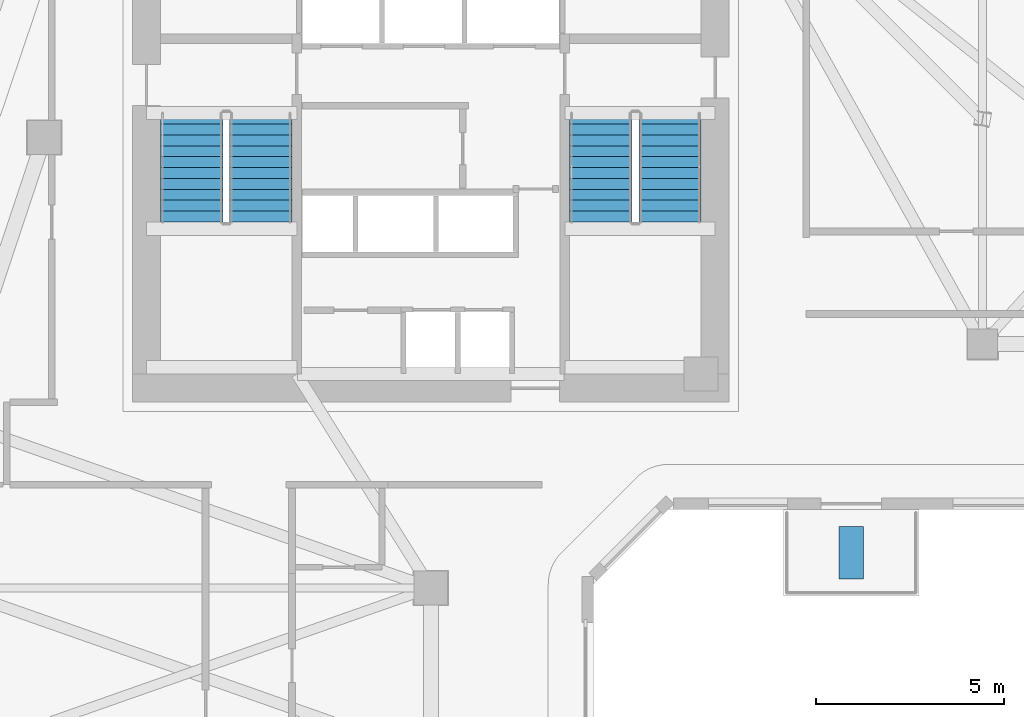
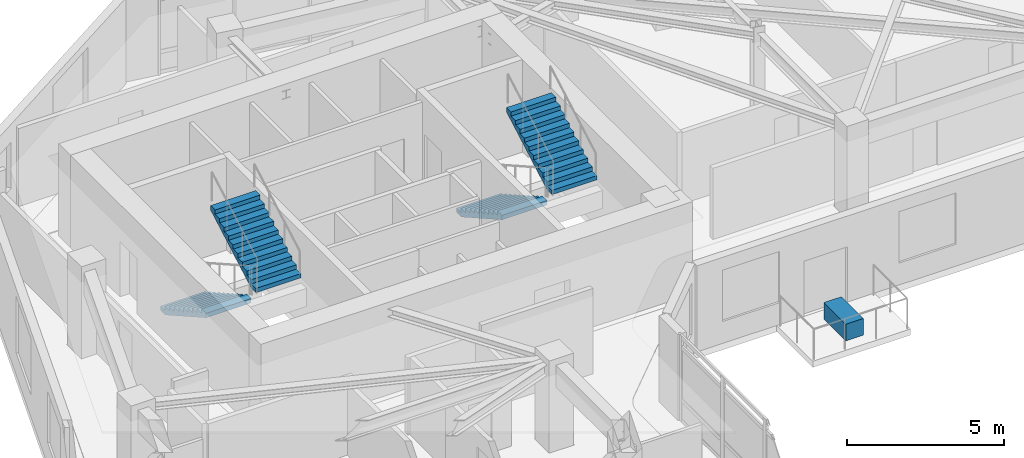
# One storey, part 8 of 11: 4 stair flights, 1 discrete accessory, 2 elements without a shape of their own.
"""IFC4 building model written with IfcOpenShell, lengths in metres."""

from ifc_helpers import new_model, si_unit, direction, frame, origin, origin_2d, place, context, subcontext, project, spatial, polyline, rectangle, outline, extrude, source, transform, mapped, material, type_object, element, aggregate, save


model = new_model("IFC4")

# Units and contexts
model_context = context("Model", 3, precision=1e-05, world=origin(), true_north=direction((0.0, 1.0)))
body_context = subcontext(model_context, "Body", "Model", "MODEL_VIEW")
ifc_project = project(units=[si_unit("LENGTHUNIT", "METRE"), si_unit("AREAUNIT", "SQUARE_METRE"), si_unit("VOLUMEUNIT", "CUBIC_METRE"), si_unit("PLANEANGLEUNIT", "RADIAN"), si_unit("MASSUNIT", "GRAM", prefix="KILO")], contexts=[model_context])

# Site, building, storey
site_placement = place(None, origin())
site = spatial("IfcSite", under=ifc_project, at=site_placement, CompositionType="ELEMENT")
building_placement = place(site_placement, origin())
building = spatial("IfcBuilding", under=site, at=building_placement, Name="Calvemar Wedge Station Tower", CompositionType="ELEMENT")
storey_placement = place(building_placement, frame((0.0, 0.0, 143.0)))
storey = spatial("IfcBuildingStorey", under=building, at=storey_placement, Name="L35", CompositionType="ELEMENT", Elevation=143.0)

# Stair, stair flights
ifc_material_1 = material(Name="Concrete C45", Category="concrete")
stair_type = type_object("IfcStairType", Name="ST-TYPE-3600", PredefinedType="HALF_TURN_STAIR", material=ifc_material_1)
stair_1_placement = place(storey_placement, origin())
stair_1 = element("IfcStair", 1, at=stair_1_placement, inside=storey, type_object=stair_type, Name="L35 Pressurized Core Exit Stair ST-C1", PredefinedType="HALF_TURN_STAIR")
stair_flight_type = type_object("IfcStairFlightType", Name="STF-TYPE-3600", PredefinedType="STRAIGHT", material=ifc_material_1)
stair_flight_1_placement = place(storey_placement, frame((17.429931640625, 41.14990234375, 0.0), z_axis=(0.0, 0.0, 1.0), x_axis=(0.0, -1.0, 0.0)))
stair_flight_1 = element("IfcStairFlight", 2, at=stair_flight_1_placement, type_object=stair_flight_type, Name="ST-C1 flight 1", NumberOfRisers=11, NumberOfTreads=10, PredefinedType="STRAIGHT", RiserHeight=0.163636364, TreadLength=0.29, context=body_context, shape_type="SweptSolid", body=[
    extrude(outline(polyline([(0.0, 0.0), (0.0, 0.16357421875), (0.2900390625, 0.16357421875), (0.2900390625, 0.327392578125), (0.580078125, 0.327392578125), (0.580078125, 0.490966796875), (0.8701171875, 0.490966796875), (0.8701171875, 0.654541015625), (1.159912109375, 0.654541015625), (1.159912109375, 0.818115234375), (1.449951171875, 0.818115234375), (1.449951171875, 0.98193359375), (1.739990234375, 0.98193359375), (1.739990234375, 1.1455078125), (2.030029296875, 1.1455078125), (2.030029296875, 1.30908203125), (2.320068359375, 1.30908203125), (2.320068359375, 1.47265625), (2.610107421875, 1.47265625), (2.610107421875, 1.636474609375), (2.89990234375, 1.636474609375), (2.89990234375, 1.800048828125), (2.89990234375, 1.46435546875), (0.304931640625, 0.0), (0.0, 0.0)])), frame((0.0, 0.830078125, 0.0), z_axis=(0.0, -1.0, 0.0), x_axis=(1.0, 0.0, 0.0)), (0.0, 0.0, 1.0), 1.659912109375),
])
stair_flight_2_placement = place(storey_placement, frame((19.27001953125, 38.25, 1.800048828125), z_axis=(0.0, 0.0, 1.0), x_axis=(0.0, 1.0, 0.0)))
stair_flight_2 = element("IfcStairFlight", 3, at=stair_flight_2_placement, type_object=stair_flight_type, Name="ST-C1 flight 2", NumberOfRisers=11, NumberOfTreads=10, PredefinedType="STRAIGHT", RiserHeight=0.163636364, TreadLength=0.29, context=body_context, shape_type="SweptSolid", body=[
    extrude(outline(polyline([(0.0, 0.0), (0.0, 0.16357421875), (0.2900390625, 0.16357421875), (0.2900390625, 0.327392578125), (0.580078125, 0.327392578125), (0.580078125, 0.490966796875), (0.8701171875, 0.490966796875), (0.8701171875, 0.654541015625), (1.159912109375, 0.654541015625), (1.159912109375, 0.818115234375), (1.449951171875, 0.818115234375), (1.449951171875, 0.98193359375), (1.739990234375, 0.98193359375), (1.739990234375, 1.1455078125), (2.030029296875, 1.1455078125), (2.030029296875, 1.30908203125), (2.320068359375, 1.30908203125), (2.320068359375, 1.47265625), (2.610107421875, 1.47265625), (2.610107421875, 1.636474609375), (2.89990234375, 1.636474609375), (2.89990234375, 1.800048828125), (2.89990234375, 1.46435546875), (0.304931640625, 0.0), (0.0, 0.0)])), frame((0.0, 0.830078125, 0.0), z_axis=(0.0, -1.0, 0.0), x_axis=(1.0, 0.0, 0.0)), (0.0, 0.0, 1.0), 1.659912109375),
])
aggregate(stair_1, [stair_flight_1, stair_flight_2])

stair_2_placement = place(storey_placement, origin())
stair_2 = element("IfcStair", 4, at=stair_2_placement, inside=storey, type_object=stair_type, Name="L35 Pressurized Core Exit Stair ST-C2", PredefinedType="HALF_TURN_STAIR")
stair_flight_3_placement = place(storey_placement, frame((28.330078125, 41.14990234375, 0.0), z_axis=(0.0, 0.0, 1.0), x_axis=(0.0, -1.0, 0.0)))
stair_flight_3 = element("IfcStairFlight", 5, at=stair_flight_3_placement, type_object=stair_flight_type, Name="ST-C2 flight 1", NumberOfRisers=11, NumberOfTreads=10, PredefinedType="STRAIGHT", RiserHeight=0.163636364, TreadLength=0.29, context=body_context, shape_type="SweptSolid", body=[
    extrude(outline(polyline([(0.0, 0.0), (0.0, 0.16357421875), (0.2900390625, 0.16357421875), (0.2900390625, 0.327392578125), (0.580078125, 0.327392578125), (0.580078125, 0.490966796875), (0.8701171875, 0.490966796875), (0.8701171875, 0.654541015625), (1.159912109375, 0.654541015625), (1.159912109375, 0.818115234375), (1.449951171875, 0.818115234375), (1.449951171875, 0.98193359375), (1.739990234375, 0.98193359375), (1.739990234375, 1.1455078125), (2.030029296875, 1.1455078125), (2.030029296875, 1.30908203125), (2.320068359375, 1.30908203125), (2.320068359375, 1.47265625), (2.610107421875, 1.47265625), (2.610107421875, 1.636474609375), (2.89990234375, 1.636474609375), (2.89990234375, 1.800048828125), (2.89990234375, 1.46435546875), (0.304931640625, 0.0), (0.0, 0.0)])), frame((0.0, 0.830078125, 0.0), z_axis=(0.0, -1.0, 0.0), x_axis=(1.0, 0.0, 0.0)), (0.0, 0.0, 1.0), 1.659912109375),
])
stair_flight_4_placement = place(storey_placement, frame((30.169921875, 38.25, 1.800048828125), z_axis=(0.0, 0.0, 1.0), x_axis=(0.0, 1.0, 0.0)))
stair_flight_4 = element("IfcStairFlight", 6, at=stair_flight_4_placement, type_object=stair_flight_type, Name="ST-C2 flight 2", NumberOfRisers=11, NumberOfTreads=10, PredefinedType="STRAIGHT", RiserHeight=0.163636364, TreadLength=0.29, context=body_context, shape_type="SweptSolid", body=[
    extrude(outline(polyline([(0.0, 0.0), (0.0, 0.16357421875), (0.2900390625, 0.16357421875), (0.2900390625, 0.327392578125), (0.580078125, 0.327392578125), (0.580078125, 0.490966796875), (0.8701171875, 0.490966796875), (0.8701171875, 0.654541015625), (1.159912109375, 0.654541015625), (1.159912109375, 0.818115234375), (1.449951171875, 0.818115234375), (1.449951171875, 0.98193359375), (1.739990234375, 0.98193359375), (1.739990234375, 1.1455078125), (2.030029296875, 1.1455078125), (2.030029296875, 1.30908203125), (2.320068359375, 1.30908203125), (2.320068359375, 1.47265625), (2.610107421875, 1.47265625), (2.610107421875, 1.636474609375), (2.89990234375, 1.636474609375), (2.89990234375, 1.800048828125), (2.89990234375, 1.46435546875), (0.304931640625, 0.0), (0.0, 0.0)])), frame((0.0, 0.830078125, 0.0), z_axis=(0.0, -1.0, 0.0), x_axis=(1.0, 0.0, 0.0)), (0.0, 0.0, 1.0), 1.659912109375),
])
aggregate(stair_2, [stair_flight_3, stair_flight_4])

# Discrete accessory
ifc_material_2 = material(Name="Precast concrete C45", Category="concrete")
discrete_accessory_type = type_object("IfcDiscreteAccessoryType", Name="ACC-PLANTER", PredefinedType="USERDEFINED", material=ifc_material_2)
shared_shape = source(origin(), body_context, "Body", "SweptSolid", [
    extrude(rectangle(XDim=0.64990234375, YDim=1.39990234375, at=origin_2d()), origin(), (0.0, 0.0, 1.0), 0.64990234375),
])
discrete_accessory_placement = place(storey_placement, frame((35.0, 29.44189453125, 0.0), z_axis=(0.0, 0.0, 1.0), x_axis=(1.0, 0.0, 0.0)))
element("IfcDiscreteAccessory", 7, at=discrete_accessory_placement, inside=storey, type_object=discrete_accessory_type, Name="Storey L35 Planted Terrace GFRC Planter", ObjectType="PLANTER", PredefinedType="USERDEFINED", context=body_context, shape_type="MappedRepresentation", body=[
    mapped(shared_shape, transform((0.0, 0.0, 0.0), scale=1.0)),
])

save(model, "model.ifc")
